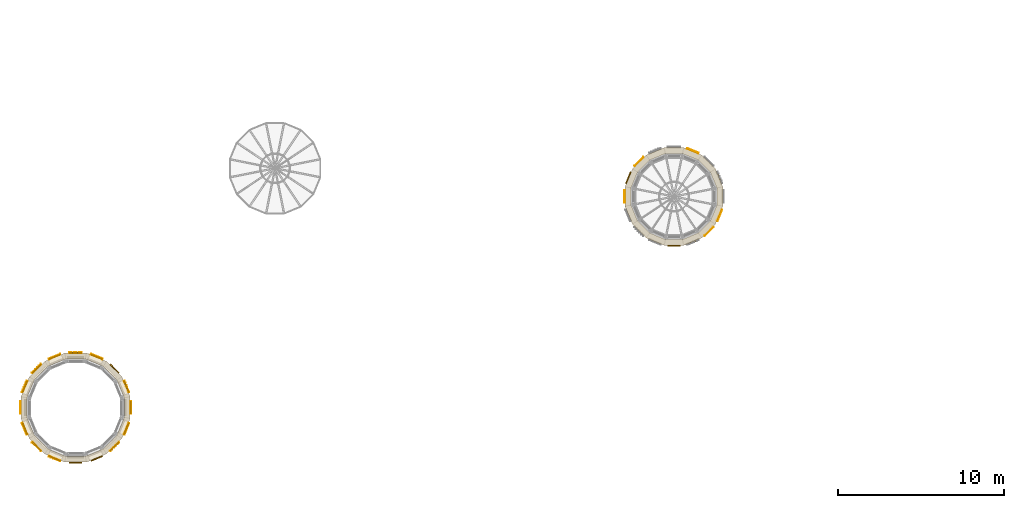
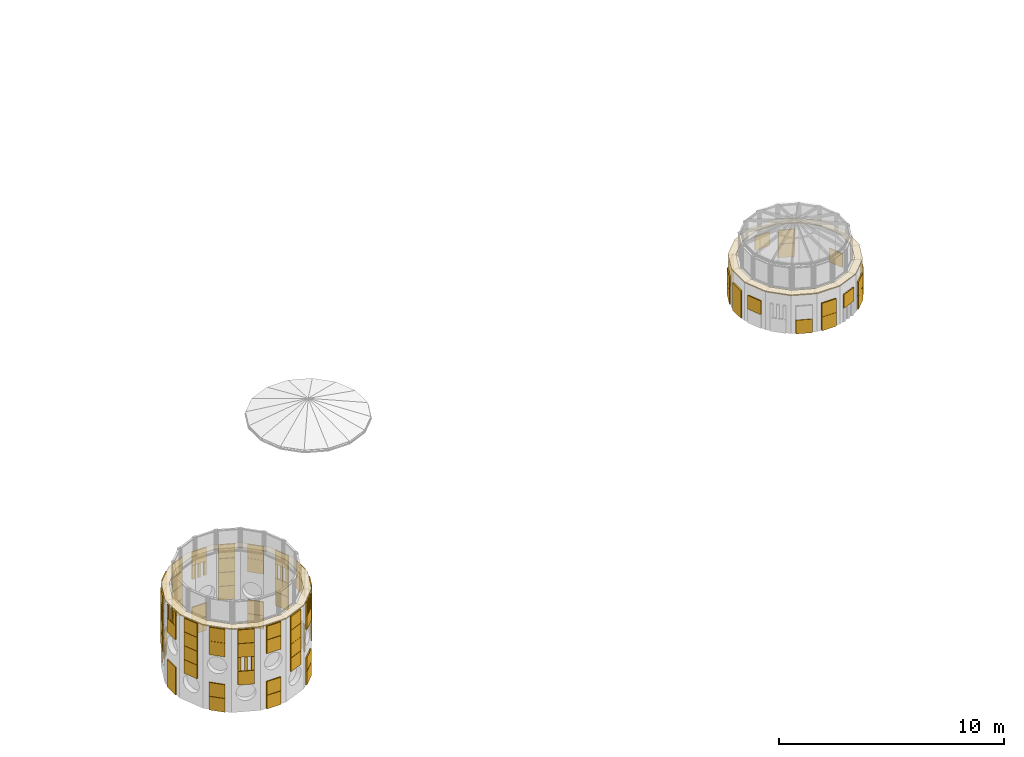
# One storey, part 31 of 36: 11 coverings.
"""IFC4 building model written with IfcOpenShell, lengths in metres."""

from ifc_helpers import new_model, si_unit, direction, frame, origin, origin_2d, place, context, subcontext, project, spatial, polyline, rectangle, outline, extrude, material, layer, layer_set, type_object, element, save


model = new_model("IFC4")

# Units and contexts
model_context = context("Model", 3, precision=1e-05, world=origin(), true_north=direction((0.0, 1.0)))
body_context = subcontext(model_context, "Body", "Model", "MODEL_VIEW")
ifc_project = project(units=[si_unit("LENGTHUNIT", "METRE"), si_unit("AREAUNIT", "SQUARE_METRE"), si_unit("VOLUMEUNIT", "CUBIC_METRE"), si_unit("PLANEANGLEUNIT", "RADIAN"), si_unit("MASSUNIT", "GRAM", prefix="KILO")], contexts=[model_context])

# Site, building, storey
site_placement = place(None, origin())
site = spatial("IfcSite", under=ifc_project, at=site_placement, CompositionType="ELEMENT")
building_placement = place(site_placement, origin())
building = spatial("IfcBuilding", under=site, at=building_placement, Name="Sun Court Science Centre", CompositionType="ELEMENT")
storey_placement = place(building_placement, frame((0.0, 0.0, 24.75)))
storey = spatial("IfcBuildingStorey", under=building, at=storey_placement, Name="L05", CompositionType="ELEMENT", Elevation=24.75)

# Coverings
ifc_material_1 = material(Name="Red sandstone", Category="masonry")
ifc_layer_1 = layer(ifc_material_1, 0.050048828125)
ifc_layer_set_1 = layer_set([ifc_layer_1], Name="Red sandstone")
covering_type_1 = type_object("IfcCoveringType", Name="Red sandstone coping 50", PredefinedType="CLADDING", material=ifc_layer_set_1)
covering_1_placement = place(storey_placement, frame((0.0, 0.0, 4.199951171875)))
element("IfcCovering", 1, at=covering_1_placement, inside=storey, type_object=covering_type_1, Name="Sandstone coping of drum top cone 1", PredefinedType="CLADDING", context=body_context, shape_type="SweptSolid", body=[
    extrude(outline(polyline([(9.28564453125, 12.153564453125), (8.785400390625, 13.361083984375), (7.861083984375, 14.285400390625), (6.653564453125, 14.78564453125), (5.346435546875, 14.78564453125), (4.138916015625, 14.285400390625), (3.214599609375, 13.361083984375), (2.71435546875, 12.153564453125), (2.71435546875, 10.846435546875), (3.214599609375, 9.638916015625), (4.138916015625, 8.714599609375), (5.346435546875, 8.21435546875), (6.653564453125, 8.21435546875), (7.861083984375, 8.714599609375), (8.785400390625, 9.638916015625), (9.28564453125, 10.846435546875), (9.28564453125, 12.153564453125)]), holes=[polyline([(8.930908203125, 12.0830078125), (8.484619140625, 13.16015625), (7.66015625, 13.984619140625), (6.5830078125, 14.430908203125), (5.4169921875, 14.430908203125), (4.33984375, 13.984619140625), (3.515380859375, 13.16015625), (3.069091796875, 12.0830078125), (3.069091796875, 10.9169921875), (3.515380859375, 9.83984375), (4.33984375, 9.015380859375), (5.4169921875, 8.569091796875), (6.5830078125, 8.569091796875), (7.66015625, 9.015380859375), (8.484619140625, 9.83984375), (8.930908203125, 10.9169921875), (8.930908203125, 12.0830078125)])]), origin(), (0.0, 0.0, 1.0), 0.050048828125),
])
covering_2_placement = place(storey_placement, frame((0.0, 0.0, 1.75)))
element("IfcCovering", 2, at=covering_2_placement, inside=storey, type_object=covering_type_1, Name="Sandstone coping of drum top cone 4", PredefinedType="CLADDING", context=body_context, shape_type="SweptSolid", body=[
    extrude(outline(polyline([(44.9423828125, 24.78515625), (44.494384765625, 25.86669921875), (43.666748046875, 26.6943359375), (42.585205078125, 27.142333984375), (41.414794921875, 27.142333984375), (40.333251953125, 26.6943359375), (39.505615234375, 25.86669921875), (39.0576171875, 24.78515625), (39.0576171875, 23.61474609375), (39.505615234375, 22.533203125), (40.333251953125, 21.70556640625), (41.414794921875, 21.257568359375), (42.585205078125, 21.257568359375), (43.666748046875, 21.70556640625), (44.494384765625, 22.533203125), (44.9423828125, 23.61474609375), (44.9423828125, 24.78515625)]), holes=[polyline([(44.587646484375, 24.714599609375), (44.193603515625, 25.665771484375), (43.4658203125, 26.3935546875), (42.5146484375, 26.78759765625), (41.4853515625, 26.78759765625), (40.5341796875, 26.3935546875), (39.806396484375, 25.665771484375), (39.412353515625, 24.714599609375), (39.412353515625, 23.685302734375), (39.806396484375, 22.734375), (40.5341796875, 22.00634765625), (41.4853515625, 21.612548828125), (42.5146484375, 21.612548828125), (43.4658203125, 22.00634765625), (44.193603515625, 22.734375), (44.587646484375, 23.685302734375), (44.587646484375, 24.714599609375)])]), origin(), (0.0, 0.0, 1.0), 0.050048828125),
])
ifc_material_2 = material(Name="Terracotta jali", Category="masonry")
ifc_layer_2 = layer(ifc_material_2, 0.06005859375)
ifc_layer_set_2 = layer_set([ifc_layer_2], Name="Terracotta jali")
covering_type_2 = type_object("IfcCoveringType", Name="Terracotta open jali panel", PredefinedType="CLADDING", material=ifc_layer_set_2)
covering_3_placement = place(storey_placement, frame((0.0, 0.0, -24.75)))
element("IfcCovering", 3, at=covering_3_placement, inside=storey, type_object=covering_type_2, Name="Open jali pixel cladding cone 1 L05", PredefinedType="CLADDING", context=body_context, shape_type="SweptSolid", body=[
    extrude(rectangle(XDim=0.139892578125, YDim=0.06005859375, at=origin_2d()), frame((8.948486328125, 13.0458984375, 27.455078125), z_axis=(0.0, 0.0, 1.0), x_axis=(0.382683432365, -0.923879532511, 0.0)), (0.0, 0.0, 1.0), 0.739990234375),
    extrude(rectangle(XDim=0.139892578125, YDim=0.06005859375, at=origin_2d()), frame((9.063232421875, 12.768798828125, 27.455078125), z_axis=(0.0, 0.0, 1.0), x_axis=(0.382683432365, -0.923879532511, 0.0)), (0.0, 0.0, 1.0), 0.739990234375),
    extrude(rectangle(XDim=0.139892578125, YDim=0.06005859375, at=origin_2d()), frame((9.177978515625, 12.49169921875, 27.455078125), z_axis=(0.0, 0.0, 1.0), x_axis=(0.382683432365, -0.923879532511, 0.0)), (0.0, 0.0, 1.0), 0.739990234375),
    extrude(rectangle(XDim=0.139892578125, YDim=0.06005859375, at=origin_2d()), frame((5.699951171875, 14.815673828125, 27.455078125), z_axis=(0.0, 0.0, 1.0), x_axis=(1.0, 0.0, 0.0)), (0.0, 0.0, 1.0), 0.739990234375),
    extrude(rectangle(XDim=0.139892578125, YDim=0.06005859375, at=origin_2d()), frame((6.0, 14.815673828125, 27.455078125), z_axis=(0.0, 0.0, 1.0), x_axis=(1.0, 0.0, 0.0)), (0.0, 0.0, 1.0), 0.739990234375),
    extrude(rectangle(XDim=0.139892578125, YDim=0.06005859375, at=origin_2d()), frame((6.300048828125, 14.815673828125, 27.455078125), z_axis=(0.0, 0.0, 1.0), x_axis=(1.0, 0.0, 0.0)), (0.0, 0.0, 1.0), 0.739990234375),
    extrude(rectangle(XDim=0.139892578125, YDim=0.06005859375, at=origin_2d()), frame((3.443359375, 13.63232421875, 24.455078125), z_axis=(0.0, 0.0, 1.0), x_axis=(0.707106781187, 0.707106781187, 0.0)), (0.0, 0.0, 1.0), 0.739990234375),
    extrude(rectangle(XDim=0.139892578125, YDim=0.06005859375, at=origin_2d()), frame((3.655517578125, 13.844482421875, 24.455078125), z_axis=(0.0, 0.0, 1.0), x_axis=(0.707106781187, 0.707106781187, 0.0)), (0.0, 0.0, 1.0), 0.739990234375),
    extrude(rectangle(XDim=0.139892578125, YDim=0.06005859375, at=origin_2d()), frame((3.86767578125, 14.056640625, 24.455078125), z_axis=(0.0, 0.0, 1.0), x_axis=(0.707106781187, 0.707106781187, 0.0)), (0.0, 0.0, 1.0), 0.739990234375),
    extrude(rectangle(XDim=0.139892578125, YDim=0.06005859375, at=origin_2d()), frame((2.822021484375, 12.49169921875, 27.455078125), z_axis=(0.0, 0.0, 1.0), x_axis=(0.382683432365, 0.923879532511, 0.0)), (0.0, 0.0, 1.0), 0.739990234375),
    extrude(rectangle(XDim=0.139892578125, YDim=0.06005859375, at=origin_2d()), frame((2.936767578125, 12.768798828125, 27.455078125), z_axis=(0.0, 0.0, 1.0), x_axis=(0.382683432365, 0.923879532511, 0.0)), (0.0, 0.0, 1.0), 0.739990234375),
    extrude(rectangle(XDim=0.139892578125, YDim=0.06005859375, at=origin_2d()), frame((3.051513671875, 13.0458984375, 27.455078125), z_axis=(0.0, 0.0, 1.0), x_axis=(0.382683432365, 0.923879532511, 0.0)), (0.0, 0.0, 1.0), 0.739990234375),
    extrude(rectangle(XDim=0.139892578125, YDim=0.06005859375, at=origin_2d()), frame((2.684326171875, 11.199951171875, 28.205078125), z_axis=(0.0, 0.0, 1.0), x_axis=(0.0, 1.0, 0.0)), (0.0, 0.0, 1.0), 0.739990234375),
    extrude(rectangle(XDim=0.139892578125, YDim=0.06005859375, at=origin_2d()), frame((2.684326171875, 11.5, 28.205078125), z_axis=(0.0, 0.0, 1.0), x_axis=(0.0, 1.0, 0.0)), (0.0, 0.0, 1.0), 0.739990234375),
    extrude(rectangle(XDim=0.139892578125, YDim=0.06005859375, at=origin_2d()), frame((2.684326171875, 11.800048828125, 28.205078125), z_axis=(0.0, 0.0, 1.0), x_axis=(0.0, 1.0, 0.0)), (0.0, 0.0, 1.0), 0.739990234375),
    extrude(rectangle(XDim=0.139892578125, YDim=0.06005859375, at=origin_2d()), frame((5.00830078125, 8.322021484375, 26.705078125), z_axis=(0.0, 0.0, 1.0), x_axis=(-0.923879532511, 0.382683432365, 0.0)), (0.0, 0.0, 1.0), 0.739990234375),
    extrude(rectangle(XDim=0.139892578125, YDim=0.06005859375, at=origin_2d()), frame((4.731201171875, 8.436767578125, 26.705078125), z_axis=(0.0, 0.0, 1.0), x_axis=(-0.923879532511, 0.382683432365, 0.0)), (0.0, 0.0, 1.0), 0.739990234375),
    extrude(rectangle(XDim=0.139892578125, YDim=0.06005859375, at=origin_2d()), frame((4.4541015625, 8.551513671875, 26.705078125), z_axis=(0.0, 0.0, 1.0), x_axis=(-0.923879532511, 0.382683432365, 0.0)), (0.0, 0.0, 1.0), 0.739990234375),
    extrude(rectangle(XDim=0.139892578125, YDim=0.06005859375, at=origin_2d()), frame((8.556640625, 9.36767578125, 28.205078125), z_axis=(0.0, 0.0, 1.0), x_axis=(-0.707106781187, -0.707106781187, 0.0)), (0.0, 0.0, 1.0), 0.739990234375),
    extrude(rectangle(XDim=0.139892578125, YDim=0.06005859375, at=origin_2d()), frame((8.344482421875, 9.155517578125, 28.205078125), z_axis=(0.0, 0.0, 1.0), x_axis=(-0.707106781187, -0.707106781187, 0.0)), (0.0, 0.0, 1.0), 0.739990234375),
    extrude(rectangle(XDim=0.139892578125, YDim=0.06005859375, at=origin_2d()), frame((8.13232421875, 8.943359375, 28.205078125), z_axis=(0.0, 0.0, 1.0), x_axis=(-0.707106781187, -0.707106781187, 0.0)), (0.0, 0.0, 1.0), 0.739990234375),
    extrude(rectangle(XDim=0.139892578125, YDim=0.06005859375, at=origin_2d()), frame((9.177978515625, 10.50830078125, 26.705078125), z_axis=(0.0, 0.0, 1.0), x_axis=(-0.382683432365, -0.923879532511, 0.0)), (0.0, 0.0, 1.0), 0.739990234375),
    extrude(rectangle(XDim=0.139892578125, YDim=0.06005859375, at=origin_2d()), frame((9.063232421875, 10.231201171875, 26.705078125), z_axis=(0.0, 0.0, 1.0), x_axis=(-0.382683432365, -0.923879532511, 0.0)), (0.0, 0.0, 1.0), 0.739990234375),
    extrude(rectangle(XDim=0.139892578125, YDim=0.06005859375, at=origin_2d()), frame((8.948486328125, 9.9541015625, 26.705078125), z_axis=(0.0, 0.0, 1.0), x_axis=(-0.382683432365, -0.923879532511, 0.0)), (0.0, 0.0, 1.0), 0.739990234375),
    extrude(rectangle(XDim=0.139892578125, YDim=0.06005859375, at=origin_2d()), frame((9.315673828125, 11.800048828125, 24.455078125), z_axis=(0.0, 0.0, 1.0), x_axis=(0.0, -1.0, 0.0)), (0.0, 0.0, 1.0), 0.739990234375),
    extrude(rectangle(XDim=0.139892578125, YDim=0.06005859375, at=origin_2d()), frame((9.315673828125, 11.5, 24.455078125), z_axis=(0.0, 0.0, 1.0), x_axis=(0.0, -1.0, 0.0)), (0.0, 0.0, 1.0), 0.739990234375),
    extrude(rectangle(XDim=0.139892578125, YDim=0.06005859375, at=origin_2d()), frame((9.315673828125, 11.199951171875, 24.455078125), z_axis=(0.0, 0.0, 1.0), x_axis=(0.0, -1.0, 0.0)), (0.0, 0.0, 1.0), 0.739990234375),
    extrude(rectangle(XDim=0.139892578125, YDim=0.06005859375, at=origin_2d()), frame((9.315673828125, 11.800048828125, 25.205078125), z_axis=(0.0, 0.0, 1.0), x_axis=(0.0, -1.0, 0.0)), (0.0, 0.0, 1.0), 0.739990234375),
    extrude(rectangle(XDim=0.139892578125, YDim=0.06005859375, at=origin_2d()), frame((9.315673828125, 11.5, 25.205078125), z_axis=(0.0, 0.0, 1.0), x_axis=(0.0, -1.0, 0.0)), (0.0, 0.0, 1.0), 0.739990234375),
    extrude(rectangle(XDim=0.139892578125, YDim=0.06005859375, at=origin_2d()), frame((9.315673828125, 11.199951171875, 25.205078125), z_axis=(0.0, 0.0, 1.0), x_axis=(0.0, -1.0, 0.0)), (0.0, 0.0, 1.0), 0.739990234375),
])
ifc_material_3 = material(Name="Terracotta shade 1", Category="masonry")
ifc_layer_3 = layer(ifc_material_3, 0.06005859375)
ifc_layer_set_3 = layer_set([ifc_layer_3], Name="Terracotta shade 1")
covering_type_3 = type_object("IfcCoveringType", Name="Terracotta pixel panel shade 1", PredefinedType="CLADDING", material=ifc_layer_set_3)
covering_4_placement = place(storey_placement, frame((0.0, 0.0, -24.75)))
element("IfcCovering", 4, at=covering_4_placement, inside=storey, type_object=covering_type_3, Name="Terracotta pixel cladding shade 1 cone 1 L05", PredefinedType="CLADDING", context=body_context, shape_type="SweptSolid", body=[
    extrude(rectangle(XDim=0.739990234375, YDim=0.06005859375, at=origin_2d()), frame((9.063232421875, 12.768798828125, 25.955078125), z_axis=(0.0, 0.0, 1.0), x_axis=(0.382683432365, -0.923879532511, 0.0)), (0.0, 0.0, 1.0), 0.739990234375),
    extrude(rectangle(XDim=0.739990234375, YDim=0.06005859375, at=origin_2d()), frame((8.344482421875, 13.844482421875, 27.455078125), z_axis=(0.0, 0.0, 1.0), x_axis=(0.707106781187, -0.707106781187, 0.0)), (0.0, 0.0, 1.0), 0.739990234375),
    extrude(rectangle(XDim=0.739990234375, YDim=0.06005859375, at=origin_2d()), frame((8.344482421875, 13.844482421875, 28.205078125), z_axis=(0.0, 0.0, 1.0), x_axis=(0.707106781187, -0.707106781187, 0.0)), (0.0, 0.0, 1.0), 0.739990234375),
    extrude(rectangle(XDim=0.739990234375, YDim=0.06005859375, at=origin_2d()), frame((7.268798828125, 14.563232421875, 25.955078125), z_axis=(0.0, 0.0, 1.0), x_axis=(0.923879532511, -0.382683432365, 0.0)), (0.0, 0.0, 1.0), 0.739990234375),
    extrude(rectangle(XDim=0.739990234375, YDim=0.06005859375, at=origin_2d()), frame((7.268798828125, 14.563232421875, 28.205078125), z_axis=(0.0, 0.0, 1.0), x_axis=(0.923879532511, -0.382683432365, 0.0)), (0.0, 0.0, 1.0), 0.739990234375),
    extrude(rectangle(XDim=0.739990234375, YDim=0.06005859375, at=origin_2d()), frame((6.0, 14.815673828125, 25.205078125), z_axis=(0.0, 0.0, 1.0), x_axis=(1.0, 0.0, 0.0)), (0.0, 0.0, 1.0), 0.739990234375),
    extrude(rectangle(XDim=0.739990234375, YDim=0.06005859375, at=origin_2d()), frame((6.0, 14.815673828125, 28.205078125), z_axis=(0.0, 0.0, 1.0), x_axis=(1.0, 0.0, 0.0)), (0.0, 0.0, 1.0), 0.739990234375),
    extrude(rectangle(XDim=0.739990234375, YDim=0.06005859375, at=origin_2d()), frame((4.731201171875, 14.563232421875, 27.455078125), z_axis=(0.0, 0.0, 1.0), x_axis=(0.923879532511, 0.382683432365, 0.0)), (0.0, 0.0, 1.0), 0.739990234375),
    extrude(rectangle(XDim=0.739990234375, YDim=0.06005859375, at=origin_2d()), frame((3.655517578125, 13.844482421875, 27.455078125), z_axis=(0.0, 0.0, 1.0), x_axis=(0.707106781187, 0.707106781187, 0.0)), (0.0, 0.0, 1.0), 0.739990234375),
    extrude(rectangle(XDim=0.739990234375, YDim=0.06005859375, at=origin_2d()), frame((2.936767578125, 10.231201171875, 25.955078125), z_axis=(0.0, 0.0, 1.0), x_axis=(-0.382683432365, 0.923879532511, 0.0)), (0.0, 0.0, 1.0), 0.739990234375),
    extrude(rectangle(XDim=0.739990234375, YDim=0.06005859375, at=origin_2d()), frame((2.936767578125, 10.231201171875, 27.455078125), z_axis=(0.0, 0.0, 1.0), x_axis=(-0.382683432365, 0.923879532511, 0.0)), (0.0, 0.0, 1.0), 0.739990234375),
    extrude(rectangle(XDim=0.739990234375, YDim=0.06005859375, at=origin_2d()), frame((4.731201171875, 8.436767578125, 25.955078125), z_axis=(0.0, 0.0, 1.0), x_axis=(-0.923879532511, 0.382683432365, 0.0)), (0.0, 0.0, 1.0), 0.739990234375),
    extrude(rectangle(XDim=0.739990234375, YDim=0.06005859375, at=origin_2d()), frame((7.268798828125, 8.436767578125, 28.205078125), z_axis=(0.0, 0.0, 1.0), x_axis=(-0.923879532511, -0.382683432365, 0.0)), (0.0, 0.0, 1.0), 0.739990234375),
    extrude(rectangle(XDim=0.739990234375, YDim=0.06005859375, at=origin_2d()), frame((8.344482421875, 9.155517578125, 24.455078125), z_axis=(0.0, 0.0, 1.0), x_axis=(-0.707106781187, -0.707106781187, 0.0)), (0.0, 0.0, 1.0), 0.739990234375),
    extrude(rectangle(XDim=0.739990234375, YDim=0.06005859375, at=origin_2d()), frame((8.344482421875, 9.155517578125, 27.455078125), z_axis=(0.0, 0.0, 1.0), x_axis=(-0.707106781187, -0.707106781187, 0.0)), (0.0, 0.0, 1.0), 0.739990234375),
    extrude(rectangle(XDim=0.739990234375, YDim=0.06005859375, at=origin_2d()), frame((9.063232421875, 10.231201171875, 28.205078125), z_axis=(0.0, 0.0, 1.0), x_axis=(-0.382683432365, -0.923879532511, 0.0)), (0.0, 0.0, 1.0), 0.739990234375),
    extrude(rectangle(XDim=0.739990234375, YDim=0.06005859375, at=origin_2d()), frame((6.0, 14.815673828125, 24.455078125), z_axis=(0.0, 0.0, 1.0), x_axis=(1.0, 0.0, 0.0)), (0.0, 0.0, 1.0), 0.739990234375),
])
covering_5_placement = place(storey_placement, frame((0.0, 0.0, -24.75)))
element("IfcCovering", 5, at=covering_5_placement, inside=storey, type_object=covering_type_3, Name="Terracotta pixel cladding shade 1 cone 4 L05", PredefinedType="CLADDING", context=body_context, shape_type="SweptSolid", body=[
    extrude(rectangle(XDim=0.739990234375, YDim=0.06005859375, at=origin_2d()), frame((43.137451171875, 26.946044921875, 24.455078125), z_axis=(0.0, 0.0, 1.0), x_axis=(0.923879532511, -0.382683432365, 0.0)), (0.0, 0.0, 1.0), 0.739990234375),
    extrude(rectangle(XDim=0.739990234375, YDim=0.06005859375, at=origin_2d()), frame((42.0, 27.17236328125, 25.205078125), z_axis=(0.0, 0.0, 1.0), x_axis=(1.0, 0.0, 0.0)), (0.0, 0.0, 1.0), 0.739990234375),
    extrude(rectangle(XDim=0.739990234375, YDim=0.06005859375, at=origin_2d()), frame((39.25390625, 25.33740234375, 24.455078125), z_axis=(0.0, 0.0, 1.0), x_axis=(0.382683432365, 0.923879532511, 0.0)), (0.0, 0.0, 1.0), 0.739990234375),
    extrude(rectangle(XDim=0.739990234375, YDim=0.06005859375, at=origin_2d()), frame((39.25390625, 25.33740234375, 25.205078125), z_axis=(0.0, 0.0, 1.0), x_axis=(0.382683432365, 0.923879532511, 0.0)), (0.0, 0.0, 1.0), 0.739990234375),
    extrude(rectangle(XDim=0.739990234375, YDim=0.06005859375, at=origin_2d()), frame((40.862548828125, 21.453857421875, 24.455078125), z_axis=(0.0, 0.0, 1.0), x_axis=(-0.923879532511, 0.382683432365, 0.0)), (0.0, 0.0, 1.0), 0.739990234375),
    extrude(rectangle(XDim=0.739990234375, YDim=0.06005859375, at=origin_2d()), frame((42.0, 21.2275390625, 24.455078125), z_axis=(0.0, 0.0, 1.0), x_axis=(-1.0, 0.0, 0.0)), (0.0, 0.0, 1.0), 0.739990234375),
    extrude(rectangle(XDim=0.739990234375, YDim=0.06005859375, at=origin_2d()), frame((43.137451171875, 21.453857421875, 25.205078125), z_axis=(0.0, 0.0, 1.0), x_axis=(-0.923879532511, -0.382683432365, 0.0)), (0.0, 0.0, 1.0), 0.739990234375),
    extrude(rectangle(XDim=0.739990234375, YDim=0.06005859375, at=origin_2d()), frame((44.74609375, 23.0625, 25.205078125), z_axis=(0.0, 0.0, 1.0), x_axis=(-0.382683432365, -0.923879532511, 0.0)), (0.0, 0.0, 1.0), 0.739990234375),
    extrude(rectangle(XDim=0.739990234375, YDim=0.06005859375, at=origin_2d()), frame((42.0, 21.2275390625, 25.205078125), z_axis=(0.0, 0.0, 1.0), x_axis=(-1.0, 0.0, 0.0)), (0.0, 0.0, 1.0), 0.739990234375),
    extrude(rectangle(XDim=0.739990234375, YDim=0.06005859375, at=origin_2d()), frame((44.74609375, 25.33740234375, 24.455078125), z_axis=(0.0, 0.0, 1.0), x_axis=(0.382683432365, -0.923879532511, 0.0)), (0.0, 0.0, 1.0), 0.739990234375),
])
ifc_material_4 = material(Name="Terracotta shade 2", Category="masonry")
ifc_layer_4 = layer(ifc_material_4, 0.06005859375)
ifc_layer_set_4 = layer_set([ifc_layer_4], Name="Terracotta shade 2")
covering_type_4 = type_object("IfcCoveringType", Name="Terracotta pixel panel shade 2", PredefinedType="CLADDING", material=ifc_layer_set_4)
covering_6_placement = place(storey_placement, frame((0.0, 0.0, -24.75)))
element("IfcCovering", 6, at=covering_6_placement, inside=storey, type_object=covering_type_4, Name="Terracotta pixel cladding shade 2 cone 1 L05", PredefinedType="CLADDING", context=body_context, shape_type="SweptSolid", body=[
    extrude(rectangle(XDim=0.739990234375, YDim=0.06005859375, at=origin_2d()), frame((8.344482421875, 13.844482421875, 24.455078125), z_axis=(0.0, 0.0, 1.0), x_axis=(0.707106781187, -0.707106781187, 0.0)), (0.0, 0.0, 1.0), 0.739990234375),
    extrude(rectangle(XDim=0.739990234375, YDim=0.06005859375, at=origin_2d()), frame((7.268798828125, 14.563232421875, 27.455078125), z_axis=(0.0, 0.0, 1.0), x_axis=(0.923879532511, -0.382683432365, 0.0)), (0.0, 0.0, 1.0), 0.739990234375),
    extrude(rectangle(XDim=0.739990234375, YDim=0.06005859375, at=origin_2d()), frame((4.731201171875, 14.563232421875, 25.955078125), z_axis=(0.0, 0.0, 1.0), x_axis=(0.923879532511, 0.382683432365, 0.0)), (0.0, 0.0, 1.0), 0.739990234375),
    extrude(rectangle(XDim=0.739990234375, YDim=0.06005859375, at=origin_2d()), frame((2.936767578125, 12.768798828125, 25.955078125), z_axis=(0.0, 0.0, 1.0), x_axis=(0.382683432365, 0.923879532511, 0.0)), (0.0, 0.0, 1.0), 0.739990234375),
    extrude(rectangle(XDim=0.739990234375, YDim=0.06005859375, at=origin_2d()), frame((2.936767578125, 10.231201171875, 28.205078125), z_axis=(0.0, 0.0, 1.0), x_axis=(-0.382683432365, 0.923879532511, 0.0)), (0.0, 0.0, 1.0), 0.739990234375),
    extrude(rectangle(XDim=0.739990234375, YDim=0.06005859375, at=origin_2d()), frame((3.655517578125, 9.155517578125, 24.455078125), z_axis=(0.0, 0.0, 1.0), x_axis=(-0.707106781187, 0.707106781187, 0.0)), (0.0, 0.0, 1.0), 0.739990234375),
    extrude(rectangle(XDim=0.739990234375, YDim=0.06005859375, at=origin_2d()), frame((6.0, 8.184326171875, 24.455078125), z_axis=(0.0, 0.0, 1.0), x_axis=(-1.0, 0.0, 0.0)), (0.0, 0.0, 1.0), 0.739990234375),
    extrude(rectangle(XDim=0.739990234375, YDim=0.06005859375, at=origin_2d()), frame((6.0, 8.184326171875, 28.205078125), z_axis=(0.0, 0.0, 1.0), x_axis=(-1.0, 0.0, 0.0)), (0.0, 0.0, 1.0), 0.739990234375),
    extrude(rectangle(XDim=0.739990234375, YDim=0.06005859375, at=origin_2d()), frame((7.268798828125, 8.436767578125, 26.705078125), z_axis=(0.0, 0.0, 1.0), x_axis=(-0.923879532511, -0.382683432365, 0.0)), (0.0, 0.0, 1.0), 0.739990234375),
    extrude(rectangle(XDim=0.739990234375, YDim=0.06005859375, at=origin_2d()), frame((7.268798828125, 8.436767578125, 27.455078125), z_axis=(0.0, 0.0, 1.0), x_axis=(-0.923879532511, -0.382683432365, 0.0)), (0.0, 0.0, 1.0), 0.739990234375),
    extrude(rectangle(XDim=0.739990234375, YDim=0.06005859375, at=origin_2d()), frame((8.344482421875, 9.155517578125, 25.205078125), z_axis=(0.0, 0.0, 1.0), x_axis=(-0.707106781187, -0.707106781187, 0.0)), (0.0, 0.0, 1.0), 0.739990234375),
    extrude(rectangle(XDim=0.739990234375, YDim=0.06005859375, at=origin_2d()), frame((9.063232421875, 10.231201171875, 27.455078125), z_axis=(0.0, 0.0, 1.0), x_axis=(-0.382683432365, -0.923879532511, 0.0)), (0.0, 0.0, 1.0), 0.739990234375),
    extrude(rectangle(XDim=0.739990234375, YDim=0.06005859375, at=origin_2d()), frame((9.315673828125, 11.5, 27.455078125), z_axis=(0.0, 0.0, 1.0), x_axis=(0.0, -1.0, 0.0)), (0.0, 0.0, 1.0), 0.739990234375),
])
covering_7_placement = place(storey_placement, frame((0.0, 0.0, -24.75)))
element("IfcCovering", 7, at=covering_7_placement, inside=storey, type_object=covering_type_4, Name="Terracotta pixel cladding shade 2 cone 4 L05", PredefinedType="CLADDING", context=body_context, shape_type="SweptSolid", body=[
    extrude(rectangle(XDim=0.739990234375, YDim=0.06005859375, at=origin_2d()), frame((43.137451171875, 26.946044921875, 25.205078125), z_axis=(0.0, 0.0, 1.0), x_axis=(0.923879532511, -0.382683432365, 0.0)), (0.0, 0.0, 1.0), 0.739990234375),
    extrude(rectangle(XDim=0.739990234375, YDim=0.06005859375, at=origin_2d()), frame((39.898193359375, 26.3017578125, 24.455078125), z_axis=(0.0, 0.0, 1.0), x_axis=(0.707106781187, 0.707106781187, 0.0)), (0.0, 0.0, 1.0), 0.739990234375),
    extrude(rectangle(XDim=0.739990234375, YDim=0.06005859375, at=origin_2d()), frame((39.898193359375, 26.3017578125, 25.205078125), z_axis=(0.0, 0.0, 1.0), x_axis=(0.707106781187, 0.707106781187, 0.0)), (0.0, 0.0, 1.0), 0.739990234375),
    extrude(rectangle(XDim=0.739990234375, YDim=0.06005859375, at=origin_2d()), frame((39.25390625, 23.0625, 25.205078125), z_axis=(0.0, 0.0, 1.0), x_axis=(-0.382683432365, 0.923879532511, 0.0)), (0.0, 0.0, 1.0), 0.739990234375),
    extrude(rectangle(XDim=0.739990234375, YDim=0.06005859375, at=origin_2d()), frame((44.101806640625, 22.09814453125, 24.455078125), z_axis=(0.0, 0.0, 1.0), x_axis=(-0.707106781187, -0.707106781187, 0.0)), (0.0, 0.0, 1.0), 0.739990234375),
    extrude(rectangle(XDim=0.739990234375, YDim=0.06005859375, at=origin_2d()), frame((44.101806640625, 22.09814453125, 25.205078125), z_axis=(0.0, 0.0, 1.0), x_axis=(-0.707106781187, -0.707106781187, 0.0)), (0.0, 0.0, 1.0), 0.739990234375),
])
ifc_material_5 = material(Name="Terracotta shade 3", Category="masonry")
ifc_layer_5 = layer(ifc_material_5, 0.06005859375)
ifc_layer_set_5 = layer_set([ifc_layer_5], Name="Terracotta shade 3")
covering_type_5 = type_object("IfcCoveringType", Name="Terracotta pixel panel shade 3", PredefinedType="CLADDING", material=ifc_layer_set_5)
covering_8_placement = place(storey_placement, frame((0.0, 0.0, -24.75)))
element("IfcCovering", 8, at=covering_8_placement, inside=storey, type_object=covering_type_5, Name="Terracotta pixel cladding shade 3 cone 1 L05", PredefinedType="CLADDING", context=body_context, shape_type="SweptSolid", body=[
    extrude(rectangle(XDim=0.739990234375, YDim=0.06005859375, at=origin_2d()), frame((9.063232421875, 12.768798828125, 26.705078125), z_axis=(0.0, 0.0, 1.0), x_axis=(0.382683432365, -0.923879532511, 0.0)), (0.0, 0.0, 1.0), 0.739990234375),
    extrude(rectangle(XDim=0.739990234375, YDim=0.06005859375, at=origin_2d()), frame((8.344482421875, 13.844482421875, 25.205078125), z_axis=(0.0, 0.0, 1.0), x_axis=(0.707106781187, -0.707106781187, 0.0)), (0.0, 0.0, 1.0), 0.739990234375),
    extrude(rectangle(XDim=0.739990234375, YDim=0.06005859375, at=origin_2d()), frame((4.731201171875, 14.563232421875, 26.705078125), z_axis=(0.0, 0.0, 1.0), x_axis=(0.923879532511, 0.382683432365, 0.0)), (0.0, 0.0, 1.0), 0.739990234375),
    extrude(rectangle(XDim=0.739990234375, YDim=0.06005859375, at=origin_2d()), frame((3.655517578125, 13.844482421875, 25.205078125), z_axis=(0.0, 0.0, 1.0), x_axis=(0.707106781187, 0.707106781187, 0.0)), (0.0, 0.0, 1.0), 0.739990234375),
    extrude(rectangle(XDim=0.739990234375, YDim=0.06005859375, at=origin_2d()), frame((2.936767578125, 12.768798828125, 28.205078125), z_axis=(0.0, 0.0, 1.0), x_axis=(0.382683432365, 0.923879532511, 0.0)), (0.0, 0.0, 1.0), 0.739990234375),
    extrude(rectangle(XDim=0.739990234375, YDim=0.06005859375, at=origin_2d()), frame((2.684326171875, 11.5, 27.455078125), z_axis=(0.0, 0.0, 1.0), x_axis=(0.0, 1.0, 0.0)), (0.0, 0.0, 1.0), 0.739990234375),
    extrude(rectangle(XDim=0.739990234375, YDim=0.06005859375, at=origin_2d()), frame((4.731201171875, 8.436767578125, 28.205078125), z_axis=(0.0, 0.0, 1.0), x_axis=(-0.923879532511, 0.382683432365, 0.0)), (0.0, 0.0, 1.0), 0.739990234375),
    extrude(rectangle(XDim=0.739990234375, YDim=0.06005859375, at=origin_2d()), frame((6.0, 8.184326171875, 25.205078125), z_axis=(0.0, 0.0, 1.0), x_axis=(-1.0, 0.0, 0.0)), (0.0, 0.0, 1.0), 0.739990234375),
    extrude(rectangle(XDim=0.739990234375, YDim=0.06005859375, at=origin_2d()), frame((6.0, 8.184326171875, 27.455078125), z_axis=(0.0, 0.0, 1.0), x_axis=(-1.0, 0.0, 0.0)), (0.0, 0.0, 1.0), 0.739990234375),
    extrude(rectangle(XDim=0.739990234375, YDim=0.06005859375, at=origin_2d()), frame((7.268798828125, 8.436767578125, 25.955078125), z_axis=(0.0, 0.0, 1.0), x_axis=(-0.923879532511, -0.382683432365, 0.0)), (0.0, 0.0, 1.0), 0.739990234375),
    extrude(rectangle(XDim=0.739990234375, YDim=0.06005859375, at=origin_2d()), frame((9.063232421875, 12.768798828125, 28.205078125), z_axis=(0.0, 0.0, 1.0), x_axis=(0.382683432365, -0.923879532511, 0.0)), (0.0, 0.0, 1.0), 0.739990234375),
])
ifc_material_6 = material(Name="Terracotta shade 4", Category="masonry")
ifc_layer_6 = layer(ifc_material_6, 0.06005859375)
ifc_layer_set_6 = layer_set([ifc_layer_6], Name="Terracotta shade 4")
covering_type_6 = type_object("IfcCoveringType", Name="Terracotta pixel panel shade 4", PredefinedType="CLADDING", material=ifc_layer_set_6)
covering_9_placement = place(storey_placement, frame((0.0, 0.0, -24.75)))
element("IfcCovering", 9, at=covering_9_placement, inside=storey, type_object=covering_type_6, Name="Terracotta pixel cladding shade 4 cone 1 L05", PredefinedType="CLADDING", context=body_context, shape_type="SweptSolid", body=[
    extrude(rectangle(XDim=0.739990234375, YDim=0.06005859375, at=origin_2d()), frame((7.268798828125, 14.563232421875, 26.705078125), z_axis=(0.0, 0.0, 1.0), x_axis=(0.923879532511, -0.382683432365, 0.0)), (0.0, 0.0, 1.0), 0.739990234375),
    extrude(rectangle(XDim=0.739990234375, YDim=0.06005859375, at=origin_2d()), frame((4.731201171875, 14.563232421875, 28.205078125), z_axis=(0.0, 0.0, 1.0), x_axis=(0.923879532511, 0.382683432365, 0.0)), (0.0, 0.0, 1.0), 0.739990234375),
    extrude(rectangle(XDim=0.739990234375, YDim=0.06005859375, at=origin_2d()), frame((3.655517578125, 13.844482421875, 28.205078125), z_axis=(0.0, 0.0, 1.0), x_axis=(0.707106781187, 0.707106781187, 0.0)), (0.0, 0.0, 1.0), 0.739990234375),
    extrude(rectangle(XDim=0.739990234375, YDim=0.06005859375, at=origin_2d()), frame((2.936767578125, 12.768798828125, 26.705078125), z_axis=(0.0, 0.0, 1.0), x_axis=(0.382683432365, 0.923879532511, 0.0)), (0.0, 0.0, 1.0), 0.739990234375),
    extrude(rectangle(XDim=0.739990234375, YDim=0.06005859375, at=origin_2d()), frame((3.655517578125, 9.155517578125, 27.455078125), z_axis=(0.0, 0.0, 1.0), x_axis=(-0.707106781187, 0.707106781187, 0.0)), (0.0, 0.0, 1.0), 0.739990234375),
    extrude(rectangle(XDim=0.739990234375, YDim=0.06005859375, at=origin_2d()), frame((3.655517578125, 9.155517578125, 28.205078125), z_axis=(0.0, 0.0, 1.0), x_axis=(-0.707106781187, 0.707106781187, 0.0)), (0.0, 0.0, 1.0), 0.739990234375),
    extrude(rectangle(XDim=0.739990234375, YDim=0.06005859375, at=origin_2d()), frame((4.731201171875, 8.436767578125, 27.455078125), z_axis=(0.0, 0.0, 1.0), x_axis=(-0.923879532511, 0.382683432365, 0.0)), (0.0, 0.0, 1.0), 0.739990234375),
])
ifc_material_7 = material(Name="Terracotta shade 5", Category="masonry")
ifc_layer_7 = layer(ifc_material_7, 0.06005859375)
ifc_layer_set_7 = layer_set([ifc_layer_7], Name="Terracotta shade 5")
covering_type_7 = type_object("IfcCoveringType", Name="Terracotta pixel panel shade 5", PredefinedType="CLADDING", material=ifc_layer_set_7)
covering_10_placement = place(storey_placement, frame((0.0, 0.0, -24.75)))
element("IfcCovering", 10, at=covering_10_placement, inside=storey, type_object=covering_type_7, Name="Terracotta pixel cladding shade 5 cone 1 L05", PredefinedType="CLADDING", context=body_context, shape_type="SweptSolid", body=[
    extrude(rectangle(XDim=0.739990234375, YDim=0.06005859375, at=origin_2d()), frame((2.684326171875, 11.5, 24.455078125), z_axis=(0.0, 0.0, 1.0), x_axis=(0.0, 1.0, 0.0)), (0.0, 0.0, 1.0), 0.739990234375),
    extrude(rectangle(XDim=0.739990234375, YDim=0.06005859375, at=origin_2d()), frame((2.684326171875, 11.5, 25.205078125), z_axis=(0.0, 0.0, 1.0), x_axis=(0.0, 1.0, 0.0)), (0.0, 0.0, 1.0), 0.739990234375),
    extrude(rectangle(XDim=0.739990234375, YDim=0.06005859375, at=origin_2d()), frame((2.936767578125, 10.231201171875, 26.705078125), z_axis=(0.0, 0.0, 1.0), x_axis=(-0.382683432365, 0.923879532511, 0.0)), (0.0, 0.0, 1.0), 0.739990234375),
    extrude(rectangle(XDim=0.739990234375, YDim=0.06005859375, at=origin_2d()), frame((3.655517578125, 9.155517578125, 25.205078125), z_axis=(0.0, 0.0, 1.0), x_axis=(-0.707106781187, 0.707106781187, 0.0)), (0.0, 0.0, 1.0), 0.739990234375),
    extrude(rectangle(XDim=0.739990234375, YDim=0.06005859375, at=origin_2d()), frame((9.063232421875, 10.231201171875, 25.955078125), z_axis=(0.0, 0.0, 1.0), x_axis=(-0.382683432365, -0.923879532511, 0.0)), (0.0, 0.0, 1.0), 0.739990234375),
    extrude(rectangle(XDim=0.739990234375, YDim=0.06005859375, at=origin_2d()), frame((9.315673828125, 11.5, 28.205078125), z_axis=(0.0, 0.0, 1.0), x_axis=(0.0, -1.0, 0.0)), (0.0, 0.0, 1.0), 0.739990234375),
])
covering_11_placement = place(storey_placement, frame((0.0, 0.0, -24.75)))
element("IfcCovering", 11, at=covering_11_placement, inside=storey, type_object=covering_type_7, Name="Terracotta pixel cladding shade 5 cone 4 L05", PredefinedType="CLADDING", context=body_context, shape_type="SweptSolid", body=[
    extrude(rectangle(XDim=0.739990234375, YDim=0.06005859375, at=origin_2d()), frame((39.027587890625, 24.199951171875, 24.455078125), z_axis=(0.0, 0.0, 1.0), x_axis=(0.0, 1.0, 0.0)), (0.0, 0.0, 1.0), 0.739990234375),
    extrude(rectangle(XDim=0.739990234375, YDim=0.06005859375, at=origin_2d()), frame((39.027587890625, 24.199951171875, 25.205078125), z_axis=(0.0, 0.0, 1.0), x_axis=(0.0, 1.0, 0.0)), (0.0, 0.0, 1.0), 0.739990234375),
    extrude(rectangle(XDim=0.739990234375, YDim=0.06005859375, at=origin_2d()), frame((44.74609375, 23.0625, 24.455078125), z_axis=(0.0, 0.0, 1.0), x_axis=(-0.382683432365, -0.923879532511, 0.0)), (0.0, 0.0, 1.0), 0.739990234375),
])

save(model, "model.ifc")
